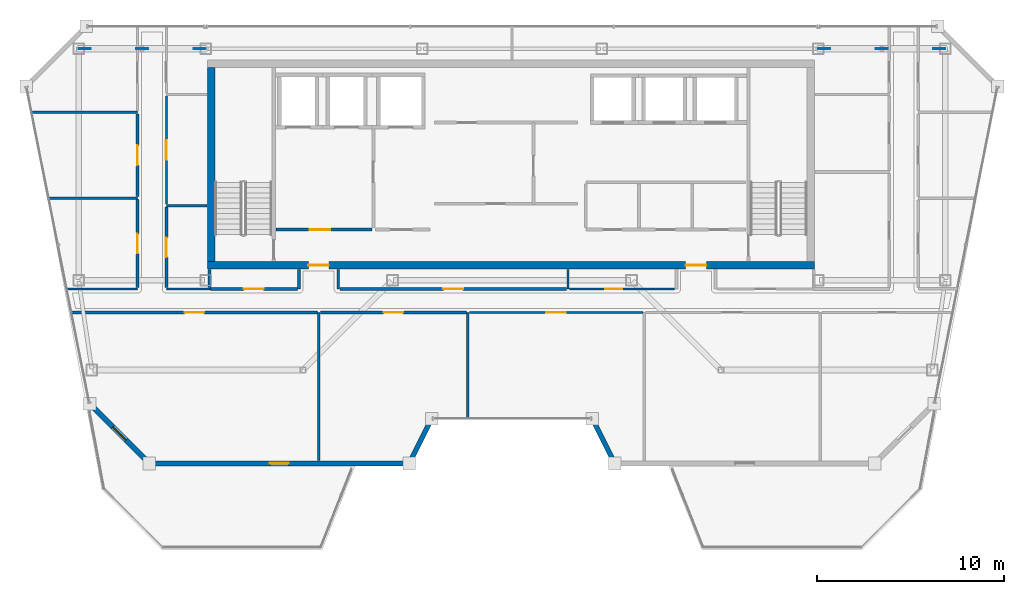
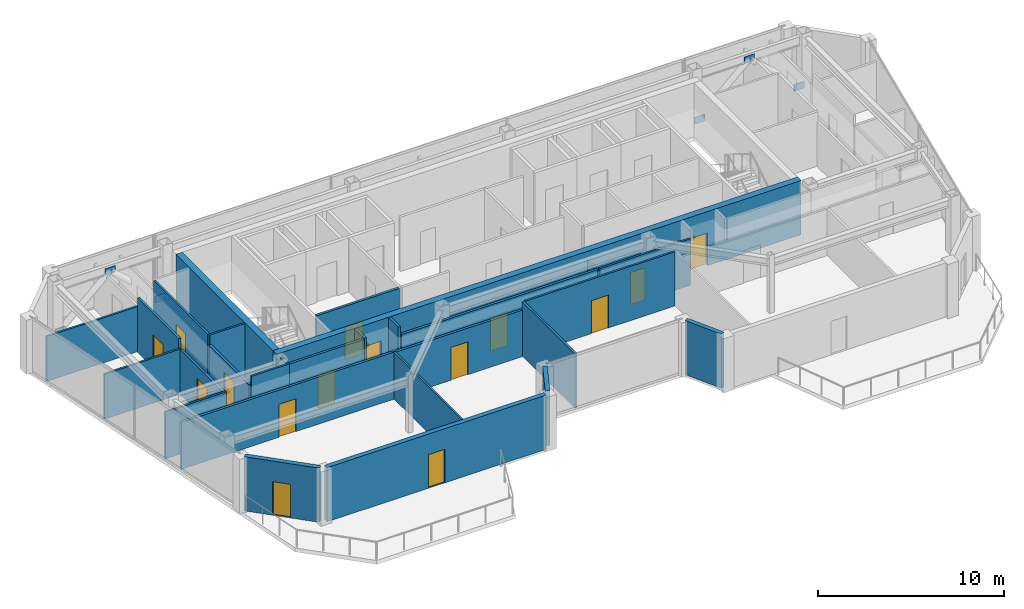
# One storey, part 14 of 20: 28 walls, 15 doors, 6 plates, 15 openings.
"""IFC4 building model written with IfcOpenShell, lengths in metres."""

from ifc_helpers import new_model, si_unit, direction, frame, frame_2d, origin, origin_2d, place, context, subcontext, project, spatial, rectangle, extrude, material, layer, layer_set, type_object, element, fill, save


model = new_model("IFC4")

# Units and contexts
model_context = context("Model", 3, precision=1e-05, world=origin(), true_north=direction((0.0, 1.0)))
body_context = subcontext(model_context, "Body", "Model", "MODEL_VIEW")
ifc_project = project(units=[si_unit("LENGTHUNIT", "METRE"), si_unit("AREAUNIT", "SQUARE_METRE"), si_unit("VOLUMEUNIT", "CUBIC_METRE"), si_unit("PLANEANGLEUNIT", "RADIAN"), si_unit("MASSUNIT", "GRAM", prefix="KILO")], contexts=[model_context])

# Site, building, storey
site_placement = place(None, origin())
site = spatial("IfcSite", under=ifc_project, at=site_placement, CompositionType="ELEMENT")
building_placement = place(site_placement, origin())
building = spatial("IfcBuilding", under=site, at=building_placement, Name="Saevonmaru Cultural Tower", CompositionType="ELEMENT")
storey_placement = place(building_placement, frame((0.0, 0.0, 295.199951171875)))
storey = spatial("IfcBuildingStorey", under=building, at=storey_placement, Name="L70", CompositionType="ELEMENT", Elevation=295.199951171875)

# Plates
ifc_material_1 = material(Name="Steel HSA600 (600 MPa)", Category="steel")
ifc_layer_1 = layer(ifc_material_1, 0.0400390625, Name="Steel HSA600 (600 MPa)")
ifc_layer_set_1 = layer_set([ifc_layer_1], Name="Steel HSA600 (600 MPa)")
plate_type = type_object("IfcPlateType", Name="PL-GUSSET-EXT", PredefinedType="USERDEFINED", material=ifc_layer_set_1)
for number, where, z_axis, x_axis, name in (
    (1, (10.199951171875, 54.800048828125, 2.900146484375), (0.0, 0.0, 1.0), (1.0, 0.0, 0.0), "L70 Perimeter Tube Gusset Plate"),
    (2, (7.1201171875, 54.800048828125, 0.02001953125), (0.0, 0.0, 1.0), (1.0, 0.0, 0.0), "L70 Perimeter Tube Gusset Plate"),
    (3, (13.280029296875, 54.800048828125, 0.02001953125), (0.0, 0.0, 1.0), (1.0, 0.0, 0.0), "L70 Perimeter Tube Gusset Plate"),
    (4, (49.800048828125, 54.800048828125, 2.900146484375), (0.0, 0.0, 1.0), (1.0, 0.0, 0.0), "L70 Perimeter Tube Gusset Plate"),
    (5, (46.719970703125, 54.800048828125, 0.02001953125), (0.0, 0.0, 1.0), (1.0, 0.0, 0.0), "L70 Perimeter Tube Gusset Plate"),
    (6, (52.8798828125, 54.800048828125, 0.02001953125), (0.0, 0.0, 1.0), (1.0, 0.0, 0.0), "L70 Perimeter Tube Gusset Plate"),
):
    element("IfcPlate", number, at=place(storey_placement, frame(where, z_axis=z_axis, x_axis=x_axis)), inside=storey, type_object=plate_type, Name=name, ObjectType="GUSSET_PLATE", PredefinedType="USERDEFINED", context=body_context, shape_type="SweptSolid", body=[
        extrude(rectangle(XDim=0.639892578125, YDim=0.0400390625, at=origin_2d()), origin(), (0.0, 0.0, 1.0), 0.43994140625),
    ])

# Wall, openings, doors
ifc_material_2 = material(Name="Concrete C50/60", Category="concrete")
ifc_layer_2 = layer(ifc_material_2, 0.39990234375, Name="Concrete C50/60")
ifc_layer_set_2 = layer_set([ifc_layer_2], Name="Concrete C50/60")
wall_type_1 = type_object("IfcWallType", Name="WL-CORE-400", PredefinedType="SHEAR", material=ifc_layer_set_2)
wall_1_placement = place(storey_placement, frame((13.699951171875, 43.199951171875, 0.0), z_axis=(0.0, 0.0, 1.0), x_axis=(1.0, 0.0, 0.0)))
wall_1 = element("IfcWall", 7, at=wall_1_placement, inside=storey, type_object=wall_type_1, Name="L70 Tower RC core shear wall S", PredefinedType="SHEAR", context=body_context, shape_type="SweptSolid", body=[
    extrude(rectangle(XDim=32.5, YDim=0.39990234375, at=frame_2d((16.25, 0.0))), origin(), (0.0, 0.0, 1.0), 3.550048828125),
])
opening_1_placement = place(wall_1_placement, frame((5.39990234375, 0.0, 0.0)))
opening_1 = element("IfcOpeningElement", 8, at=opening_1_placement, cuts=wall_1, Name="Opening FD-2", PredefinedType="OPENING", context=body_context, shape_type="SweptSolid", body=[
    extrude(rectangle(XDim=1.10009765625, YDim=2.14990234375, at=frame_2d((0.550048828125, 1.074951171875))), frame((0.0, 0.2099609375, 0.0), z_axis=(0.0, -1.0, 0.0), x_axis=(1.0, 0.0, 0.0)), (0.0, 0.0, 1.0), 0.419921875),
])
opening_2_placement = place(wall_1_placement, frame((25.60009765625, 0.0, 0.0)))
opening_2 = element("IfcOpeningElement", 9, at=opening_2_placement, cuts=wall_1, Name="Opening FD-2", PredefinedType="OPENING", context=body_context, shape_type="SweptSolid", body=[
    extrude(rectangle(XDim=1.10009765625, YDim=2.14990234375, at=frame_2d((0.550048828125, 1.074951171875))), frame((0.0, 0.2099609375, 0.0), z_axis=(0.0, -1.0, 0.0), x_axis=(1.0, 0.0, 0.0)), (0.0, 0.0, 1.0), 0.419921875),
])
ifc_material_3 = material(Name="Satin Bronze Anodised Aluminium", Category="aluminium")
door_type_1 = type_object("IfcDoorType", Name="DR-FD60-1100", OperationType="SINGLE_SWING_LEFT", PredefinedType="DOOR", material=ifc_material_3)
door_1_placement = place(opening_1_placement, origin())
door_1 = element("IfcDoor", 10, at=door_1_placement, inside=storey, type_object=door_type_1, Name="L70 Core West Lobby Fire Door", OperationType="SINGLE_SWING_LEFT", OverallHeight=2.14990234375, OverallWidth=1.10009765625, PredefinedType="DOOR", context=body_context, shape_type="SweptSolid", body=[
    extrude(rectangle(XDim=1.10009765625, YDim=2.14990234375, at=frame_2d((0.550048828125, 1.074951171875))), frame((0.0, 0.02490234375, 0.0), z_axis=(0.0, -1.0, 0.0), x_axis=(1.0, 0.0, 0.0)), (0.0, 0.0, 1.0), 0.050048828125),
])
fill(opening_1, door_1)
door_2_placement = place(opening_2_placement, origin())
door_2 = element("IfcDoor", 11, at=door_2_placement, inside=storey, type_object=door_type_1, Name="L70 Core East Lobby Fire Door", OperationType="SINGLE_SWING_LEFT", OverallHeight=2.14990234375, OverallWidth=1.10009765625, PredefinedType="DOOR", context=body_context, shape_type="SweptSolid", body=[
    extrude(rectangle(XDim=1.10009765625, YDim=2.14990234375, at=frame_2d((0.550048828125, 1.074951171875))), frame((0.0, 0.02490234375, 0.0), z_axis=(0.0, -1.0, 0.0), x_axis=(1.0, 0.0, 0.0)), (0.0, 0.0, 1.0), 0.050048828125),
])
fill(opening_2, door_2)

# Wall
wall_2_placement = place(storey_placement, frame((13.89990234375, 43.39990234375, 0.0), z_axis=(0.0, 0.0, 1.0), x_axis=(0.0, 1.0, 0.0)))
element("IfcWall", 12, at=wall_2_placement, inside=storey, type_object=wall_type_1, Name="L70 Tower RC core shear wall W", PredefinedType="SHEAR", context=body_context, shape_type="SweptSolid", body=[
    extrude(rectangle(XDim=10.400146484375, YDim=0.39990234375, at=frame_2d((5.2001953125, 0.0))), origin(), (0.0, 0.0, 1.0), 3.550048828125),
])

# Wall, opening, door
ifc_material_4 = material(Name="Gypsum Fireboard Partition", Category="gypsum")
ifc_layer_3 = layer(ifc_material_4, 0.14990234375, Name="Gypsum Fireboard Partition")
ifc_layer_set_3 = layer_set([ifc_layer_3], Name="Gypsum Fireboard Partition")
wall_type_2 = type_object("IfcWallType", Name="WL-CORE-PART-150", PredefinedType="PARTITIONING", material=ifc_layer_set_3)
wall_3_placement = place(storey_placement, frame((17.360107421875, 45.1201171875, 0.0), z_axis=(0.0, 0.0, 1.0), x_axis=(1.0, 0.0, 0.0)))
wall_3 = element("IfcWall", 13, at=wall_3_placement, inside=storey, type_object=wall_type_2, Name="L70 Firefighting Lift Lobby South Wall", PredefinedType="PARTITIONING", context=body_context, shape_type="SweptSolid", body=[
    extrude(rectangle(XDim=5.139892578125, YDim=0.14990234375, at=frame_2d((2.56982421875, 0.0))), origin(), (0.0, 0.0, 1.0), 3.550048828125),
])
opening_3_placement = place(wall_3_placement, frame((1.800048828125, 0.0, 0.0)))
opening_3 = element("IfcOpeningElement", 14, at=opening_3_placement, cuts=wall_3, Name="Opening FD-2", PredefinedType="OPENING", context=body_context, shape_type="SweptSolid", body=[
    extrude(rectangle(XDim=1.10009765625, YDim=2.14990234375, at=frame_2d((0.550048828125, 1.074951171875))), frame((0.0, 0.0849609375, 0.0), z_axis=(0.0, -1.0, 0.0), x_axis=(1.0, 0.0, 0.0)), (0.0, 0.0, 1.0), 0.169921875),
])
door_3_placement = place(opening_3_placement, origin())
door_3 = element("IfcDoor", 15, at=door_3_placement, inside=storey, type_object=door_type_1, Name="L70 Firefighting Lift Lobby South Door", OperationType="SINGLE_SWING_LEFT", OverallHeight=2.14990234375, OverallWidth=1.10009765625, PredefinedType="DOOR", context=body_context, shape_type="SweptSolid", body=[
    extrude(rectangle(XDim=1.10009765625, YDim=2.14990234375, at=frame_2d((0.550048828125, 1.074951171875))), frame((0.0, 0.02490234375, 0.0), z_axis=(0.0, -1.0, 0.0), x_axis=(1.0, 0.0, 0.0)), (0.0, 0.0, 1.0), 0.050048828125),
])
fill(opening_3, door_3)

# Walls
ifc_material_5 = material(Name="Granite-Clad Precast Concrete C40/50", Category="masonry")
ifc_layer_4 = layer(ifc_material_5, 0.260009765625, Name="Granite-Clad Precast Concrete C40/50")
ifc_layer_set_4 = layer_set([ifc_layer_4], Name="Granite-Clad Precast Concrete C40/50")
wall_type_3 = type_object("IfcWallType", Name="WL-EXT-SPANDREL-260", PredefinedType="STANDARD", material=ifc_layer_set_4)
for number, where, z_axis, x_axis, name in (
    (16, (24.571533203125, 32.7431640625, 0.0), (0.0, 0.0, 1.0), (0.4472135955, 0.894427191, 0.0), "L70 Chamfer Corner Spandrel Wall E3"),
    (17, (34.37158203125, 34.85693359375, 0.0), (0.0, 0.0, 1.0), (0.4472135955, -0.894427191, 0.0), "L70 Chamfer Corner Spandrel Wall E5"),
):
    element("IfcWall", number, at=place(storey_placement, frame(where, z_axis=z_axis, x_axis=x_axis)), inside=storey, type_object=wall_type_3, Name=name, PredefinedType="STANDARD", context=body_context, shape_type="SweptSolid", body=[
        extrude(rectangle(XDim=2.36328125, YDim=0.260009765625, at=frame_2d((1.181640625, 0.0))), origin(), (0.0, 0.0, 1.0), 3.550048828125),
    ])

# Wall, opening, door
ifc_layer_5 = layer(ifc_material_5, 0.280029296875, Name="Granite-Clad Precast Concrete C40/50")
ifc_layer_set_5 = layer_set([ifc_layer_5], Name="Granite-Clad Precast Concrete C40/50")
wall_type_4 = type_object("IfcWallType", Name="WL-EXT-SPANDREL-280", PredefinedType="STANDARD", material=ifc_layer_set_5)
wall_4_placement = place(storey_placement, frame((7.4931640625, 35.68701171875, 0.0), z_axis=(0.0, 0.0, 1.0), x_axis=(0.70707775441, -0.707135806771, 0.0)))
wall_4 = element("IfcWall", 18, at=wall_4_placement, inside=storey, type_object=wall_type_4, Name="L70 Setback Terrace Portal Wall E1", PredefinedType="STANDARD", context=body_context, shape_type="SweptSolid", body=[
    extrude(rectangle(XDim=4.20556640625, YDim=0.280029296875, at=frame_2d((2.102783203125, 0.0))), origin(), (0.0, 0.0, 1.0), 3.550048828125),
])
opening_4_placement = place(wall_4_placement, frame((1.60302734375, 0.0, 0.0)))
opening_4 = element("IfcOpeningElement", 19, at=opening_4_placement, cuts=wall_4, Name="Opening TD-2", PredefinedType="OPENING", context=body_context, shape_type="SweptSolid", body=[
    extrude(rectangle(XDim=1.0, YDim=2.199951171875, at=frame_2d((0.5, 1.10009765625))), frame((0.0, 0.14990234375, 0.0), z_axis=(0.0, -1.0, 0.0), x_axis=(1.0, 0.0, 0.0)), (0.0, 0.0, 1.0), 0.300048828125),
])
door_type_2 = type_object("IfcDoorType", Name="DR-TERR-1000", OperationType="SINGLE_SWING_RIGHT", PredefinedType="DOOR", material=ifc_material_3)
door_4_placement = place(opening_4_placement, origin())
door_4 = element("IfcDoor", 20, at=door_4_placement, inside=storey, type_object=door_type_2, Name="L70 Sawtooth Roof Terrace Door E1", OperationType="SINGLE_SWING_LEFT", OverallHeight=2.199951171875, OverallWidth=1.0, PredefinedType="DOOR", context=body_context, shape_type="SweptSolid", body=[
    extrude(rectangle(XDim=1.0, YDim=2.199951171875, at=frame_2d((0.5, 1.10009765625))), frame((0.0, 0.02490234375, 0.0), z_axis=(0.0, -1.0, 0.0), x_axis=(1.0, 0.0, 0.0)), (0.0, 0.0, 1.0), 0.050048828125),
])
fill(opening_4, door_4)

wall_5_placement = place(storey_placement, frame((10.739990234375, 32.60009765625, 0.0), z_axis=(0.0, 0.0, 1.0), x_axis=(1.0, 0.0, 0.0)))
wall_5 = element("IfcWall", 21, at=wall_5_placement, inside=storey, type_object=wall_type_4, Name="L70 Setback Terrace Portal Wall E2", PredefinedType="STANDARD", context=body_context, shape_type="SweptSolid", body=[
    extrude(rectangle(XDim=13.60009765625, YDim=0.280029296875, at=frame_2d((6.800048828125, 0.0))), origin(), (0.0, 0.0, 1.0), 3.550048828125),
])
opening_5_placement = place(wall_5_placement, frame((6.300048828125, 0.0, 0.0)))
opening_5 = element("IfcOpeningElement", 22, at=opening_5_placement, cuts=wall_5, Name="Opening TD-2", PredefinedType="OPENING", context=body_context, shape_type="SweptSolid", body=[
    extrude(rectangle(XDim=1.0, YDim=2.199951171875, at=frame_2d((0.5, 1.10009765625))), frame((0.0, 0.14990234375, 0.0), z_axis=(0.0, -1.0, 0.0), x_axis=(1.0, 0.0, 0.0)), (0.0, 0.0, 1.0), 0.300048828125),
])
door_5_placement = place(opening_5_placement, origin())
door_5 = element("IfcDoor", 23, at=door_5_placement, inside=storey, type_object=door_type_2, Name="L70 Sawtooth Roof Terrace Door E2", OperationType="SINGLE_SWING_RIGHT", OverallHeight=2.199951171875, OverallWidth=1.0, PredefinedType="DOOR", context=body_context, shape_type="SweptSolid", body=[
    extrude(rectangle(XDim=1.0, YDim=2.199951171875, at=frame_2d((0.5, 1.10009765625))), frame((0.0, 0.02490234375, 0.0), z_axis=(0.0, -1.0, 0.0), x_axis=(1.0, 0.0, 0.0)), (0.0, 0.0, 1.0), 0.050048828125),
])
fill(opening_5, door_5)

ifc_layer_6 = layer(ifc_material_4, 0.14990234375, Name="Gypsum Fireboard Partition")
ifc_layer_set_6 = layer_set([ifc_layer_6], Name="Gypsum Fireboard Partition")
wall_type_5 = type_object("IfcWallType", Name="WL-PART-FIRE-150", PredefinedType="PARTITIONING", material=ifc_layer_set_6)
wall_6_placement = place(storey_placement, frame((9.949951171875, 42.02001953125, 0.0), z_axis=(0.0, 0.0, 1.0), x_axis=(0.0, 1.0, 0.0)))
wall_6 = element("IfcWall", 24, at=wall_6_placement, inside=storey, type_object=wall_type_5, Name="L70 Sky Observatory Gallery Corridor Wall", PredefinedType="PARTITIONING", context=body_context, shape_type="SweptSolid", body=[
    extrude(rectangle(XDim=4.699951171875, YDim=0.14990234375, at=frame_2d((2.35009765625, 0.0))), origin(), (0.0, 0.0, 1.0), 2.947021484375),
])
opening_6_placement = place(wall_6_placement, frame((1.824951171875, 0.0, 0.0)))
opening_6 = element("IfcOpeningElement", 25, at=opening_6_placement, cuts=wall_6, Name="Opening ID-1", PredefinedType="OPENING", context=body_context, shape_type="SweptSolid", body=[
    extrude(rectangle(XDim=1.050048828125, YDim=2.14990234375, at=frame_2d((0.52490234375, 1.074951171875))), frame((0.0, 0.0849609375, 0.0), z_axis=(0.0, -1.0, 0.0), x_axis=(1.0, 0.0, 0.0)), (0.0, 0.0, 1.0), 0.169921875),
])
door_type_3 = type_object("IfcDoorType", Name="DR-INT-1050", OperationType="SINGLE_SWING_LEFT", PredefinedType="DOOR", material=ifc_material_3)
door_6_placement = place(opening_6_placement, origin())
door_6 = element("IfcDoor", 26, at=door_6_placement, inside=storey, type_object=door_type_3, Name="L70 Sky Observatory Gallery Door", OperationType="SINGLE_SWING_RIGHT", OverallHeight=2.14990234375, OverallWidth=1.050048828125, PredefinedType="DOOR", context=body_context, shape_type="SweptSolid", body=[
    extrude(rectangle(XDim=1.050048828125, YDim=2.14990234375, at=frame_2d((0.52490234375, 1.074951171875))), frame((0.0, 0.02490234375, 0.0), z_axis=(0.0, -1.0, 0.0), x_axis=(1.0, 0.0, 0.0)), (0.0, 0.0, 1.0), 0.050048828125),
])
fill(opening_6, door_6)

wall_7_placement = place(storey_placement, frame((9.949951171875, 46.8798828125, 0.0), z_axis=(0.0, 0.0, 1.0), x_axis=(0.0, 1.0, 0.0)))
wall_7 = element("IfcWall", 27, at=wall_7_placement, inside=storey, type_object=wall_type_5, Name="L70 Skyline Exhibition Gallery Corridor Wall", PredefinedType="PARTITIONING", context=body_context, shape_type="SweptSolid", body=[
    extrude(rectangle(XDim=4.440185546875, YDim=0.14990234375, at=frame_2d((2.22021484375, 0.0))), origin(), (0.0, 0.0, 1.0), 3.550048828125),
])
opening_7_placement = place(wall_7_placement, frame((1.695068359375, 0.0, 0.0)))
opening_7 = element("IfcOpeningElement", 28, at=opening_7_placement, cuts=wall_7, Name="Opening ID-1", PredefinedType="OPENING", context=body_context, shape_type="SweptSolid", body=[
    extrude(rectangle(XDim=1.050048828125, YDim=2.14990234375, at=frame_2d((0.52490234375, 1.074951171875))), frame((0.0, 0.0849609375, 0.0), z_axis=(0.0, -1.0, 0.0), x_axis=(1.0, 0.0, 0.0)), (0.0, 0.0, 1.0), 0.169921875),
])
door_7_placement = place(opening_7_placement, origin())
door_7 = element("IfcDoor", 29, at=door_7_placement, inside=storey, type_object=door_type_3, Name="L70 Skyline Exhibition Gallery Door", OperationType="SINGLE_SWING_LEFT", OverallHeight=2.14990234375, OverallWidth=1.050048828125, PredefinedType="DOOR", context=body_context, shape_type="SweptSolid", body=[
    extrude(rectangle(XDim=1.050048828125, YDim=2.14990234375, at=frame_2d((0.52490234375, 1.074951171875))), frame((0.0, 0.02490234375, 0.0), z_axis=(0.0, -1.0, 0.0), x_axis=(1.0, 0.0, 0.0)), (0.0, 0.0, 1.0), 0.050048828125),
])
fill(opening_7, door_7)

wall_8_placement = place(storey_placement, frame((11.5, 42.02001953125, 0.0), z_axis=(0.0, 0.0, 1.0), x_axis=(0.0, 1.0, 0.0)))
wall_8 = element("IfcWall", 30, at=wall_8_placement, inside=storey, type_object=wall_type_5, Name="L70 Skyline Exhibition Gallery Corridor Wall", PredefinedType="PARTITIONING", context=body_context, shape_type="SweptSolid", body=[
    extrude(rectangle(XDim=4.300048828125, YDim=0.14990234375, at=frame_2d((2.14990234375, 0.0))), origin(), (0.0, 0.0, 1.0), 2.947021484375),
])
opening_8_placement = place(wall_8_placement, frame((1.625, 0.0, 0.0)))
opening_8 = element("IfcOpeningElement", 31, at=opening_8_placement, cuts=wall_8, Name="Opening ID-1", PredefinedType="OPENING", context=body_context, shape_type="SweptSolid", body=[
    extrude(rectangle(XDim=1.050048828125, YDim=2.14990234375, at=frame_2d((0.52490234375, 1.074951171875))), frame((0.0, 0.0849609375, 0.0), z_axis=(0.0, -1.0, 0.0), x_axis=(1.0, 0.0, 0.0)), (0.0, 0.0, 1.0), 0.169921875),
])
door_8_placement = place(opening_8_placement, origin())
door_8 = element("IfcDoor", 32, at=door_8_placement, inside=storey, type_object=door_type_3, Name="L70 Skyline Exhibition Gallery Door", OperationType="SINGLE_SWING_LEFT", OverallHeight=2.14990234375, OverallWidth=1.050048828125, PredefinedType="DOOR", context=body_context, shape_type="SweptSolid", body=[
    extrude(rectangle(XDim=1.050048828125, YDim=2.14990234375, at=frame_2d((0.52490234375, 1.074951171875))), frame((0.0, 0.02490234375, 0.0), z_axis=(0.0, -1.0, 0.0), x_axis=(1.0, 0.0, 0.0)), (0.0, 0.0, 1.0), 0.050048828125),
])
fill(opening_8, door_8)

# Walls
wall_9_placement = place(storey_placement, frame((13.800048828125, 42.02001953125, 0.0), z_axis=(0.0, 0.0, 1.0), x_axis=(0.0, 1.0, 0.0)))
element("IfcWall", 33, at=wall_9_placement, inside=storey, type_object=wall_type_5, Name="L70 Core Portal Side Wall W0", PredefinedType="PARTITIONING", context=body_context, shape_type="SweptSolid", body=[
    extrude(rectangle(XDim=0.9599609375, YDim=0.14990234375, at=frame_2d((0.47998046875, 0.0))), origin(), (0.0, 0.0, 1.0), 3.550048828125),
])
for number, where, z_axis, x_axis, name in (
    (34, (18.60009765625, 41.93994140625, 0.0), (0.0, 0.0, 1.0), (0.0, 1.0, 0.0), "L70 Core Portal Side Wall W1"),
    (35, (20.699951171875, 41.93994140625, 0.0), (0.0, 0.0, 1.0), (0.0, 1.0, 0.0), "L70 Core Portal Side Wall W2"),
):
    element("IfcWall", number, at=place(storey_placement, frame(where, z_axis=z_axis, x_axis=x_axis)), inside=storey, type_object=wall_type_5, Name=name, PredefinedType="PARTITIONING", context=body_context, shape_type="SweptSolid", body=[
        extrude(rectangle(XDim=1.0400390625, YDim=0.14990234375, at=frame_2d((0.52001953125, 0.0))), origin(), (0.0, 0.0, 1.0), 3.550048828125),
    ])

# Wall, opening, door
wall_10_placement = place(storey_placement, frame((13.85009765625, 41.93994140625, 0.0), z_axis=(0.0, 0.0, 1.0), x_axis=(1.0, 0.0, 0.0)))
wall_10 = element("IfcWall", 36, at=wall_10_placement, inside=storey, type_object=wall_type_5, Name="L70 Sky Observatory Gallery Corridor Wall", PredefinedType="PARTITIONING", context=body_context, shape_type="SweptSolid", body=[
    extrude(rectangle(XDim=4.65478515625, YDim=0.14990234375, at=frame_2d((2.327392578125, 0.0))), origin(), (0.0, 0.0, 1.0), 3.550048828125),
])
opening_9_placement = place(wall_10_placement, frame((1.802001953125, 0.0, 0.0)))
opening_9 = element("IfcOpeningElement", 37, at=opening_9_placement, cuts=wall_10, Name="Opening ID-1", PredefinedType="OPENING", context=body_context, shape_type="SweptSolid", body=[
    extrude(rectangle(XDim=1.050048828125, YDim=2.14990234375, at=frame_2d((0.52490234375, 1.074951171875))), frame((0.0, 0.0849609375, 0.0), z_axis=(0.0, -1.0, 0.0), x_axis=(1.0, 0.0, 0.0)), (0.0, 0.0, 1.0), 0.169921875),
])
door_9_placement = place(opening_9_placement, origin())
door_9 = element("IfcDoor", 38, at=door_9_placement, inside=storey, type_object=door_type_3, Name="L70 Sky Observatory Gallery Door", OperationType="SINGLE_SWING_RIGHT", OverallHeight=2.14990234375, OverallWidth=1.050048828125, PredefinedType="DOOR", context=body_context, shape_type="SweptSolid", body=[
    extrude(rectangle(XDim=1.050048828125, YDim=2.14990234375, at=frame_2d((0.52490234375, 1.074951171875))), frame((0.0, 0.02490234375, 0.0), z_axis=(0.0, -1.0, 0.0), x_axis=(1.0, 0.0, 0.0)), (0.0, 0.0, 1.0), 0.050048828125),
])
fill(opening_9, door_9)

wall_11_placement = place(storey_placement, frame((20.794921875, 41.93994140625, 0.0), z_axis=(0.0, 0.0, 1.0), x_axis=(1.0, 0.0, 0.0)))
wall_11 = element("IfcWall", 39, at=wall_11_placement, inside=storey, type_object=wall_type_5, Name="L70 Sky Observatory Gallery Corridor Wall", PredefinedType="PARTITIONING", context=body_context, shape_type="SweptSolid", body=[
    extrude(rectangle(XDim=12.125, YDim=0.14990234375, at=frame_2d((6.0625, 0.0))), origin(), (0.0, 0.0, 1.0), 3.047119140625),
])
opening_10_placement = place(wall_11_placement, frame((5.537109375, 0.0, 0.0)))
opening_10 = element("IfcOpeningElement", 40, at=opening_10_placement, cuts=wall_11, Name="Opening ID-1", PredefinedType="OPENING", context=body_context, shape_type="SweptSolid", body=[
    extrude(rectangle(XDim=1.050048828125, YDim=2.14990234375, at=frame_2d((0.52490234375, 1.074951171875))), frame((0.0, 0.0849609375, 0.0), z_axis=(0.0, -1.0, 0.0), x_axis=(1.0, 0.0, 0.0)), (0.0, 0.0, 1.0), 0.169921875),
])
door_10_placement = place(opening_10_placement, origin())
door_10 = element("IfcDoor", 41, at=door_10_placement, inside=storey, type_object=door_type_3, Name="L70 Sky Observatory Gallery Door", OperationType="SINGLE_SWING_LEFT", OverallHeight=2.14990234375, OverallWidth=1.050048828125, PredefinedType="DOOR", context=body_context, shape_type="SweptSolid", body=[
    extrude(rectangle(XDim=1.050048828125, YDim=2.14990234375, at=frame_2d((0.52490234375, 1.074951171875))), frame((0.0, 0.02490234375, 0.0), z_axis=(0.0, -1.0, 0.0), x_axis=(1.0, 0.0, 0.0)), (0.0, 0.0, 1.0), 0.050048828125),
])
fill(opening_10, door_10)

wall_12_placement = place(storey_placement, frame((6.414794921875, 40.679931640625, 0.0), z_axis=(0.0, 0.0, 1.0), x_axis=(1.0, 0.0, 0.0)))
wall_12 = element("IfcWall", 42, at=wall_12_placement, inside=storey, type_object=wall_type_5, Name="L70 Sky Observatory Gallery Corridor Wall", PredefinedType="PARTITIONING", context=body_context, shape_type="SweptSolid", body=[
    extrude(rectangle(XDim=13.165283203125, YDim=0.14990234375, at=frame_2d((6.58251953125, 0.0))), origin(), (0.0, 0.0, 1.0), 3.0849609375),
])
opening_11_placement = place(wall_12_placement, frame((6.05810546875, 0.0, 0.0)))
opening_11 = element("IfcOpeningElement", 43, at=opening_11_placement, cuts=wall_12, Name="Opening ID-1", PredefinedType="OPENING", context=body_context, shape_type="SweptSolid", body=[
    extrude(rectangle(XDim=1.050048828125, YDim=2.14990234375, at=frame_2d((0.52490234375, 1.074951171875))), frame((0.0, 0.0849609375, 0.0), z_axis=(0.0, -1.0, 0.0), x_axis=(1.0, 0.0, 0.0)), (0.0, 0.0, 1.0), 0.169921875),
])
door_11_placement = place(opening_11_placement, origin())
door_11 = element("IfcDoor", 44, at=door_11_placement, inside=storey, type_object=door_type_3, Name="L70 Sky Observatory Gallery Door", OperationType="SINGLE_SWING_RIGHT", OverallHeight=2.14990234375, OverallWidth=1.050048828125, PredefinedType="DOOR", context=body_context, shape_type="SweptSolid", body=[
    extrude(rectangle(XDim=1.050048828125, YDim=2.14990234375, at=frame_2d((0.52490234375, 1.074951171875))), frame((0.0, 0.02490234375, 0.0), z_axis=(0.0, -1.0, 0.0), x_axis=(1.0, 0.0, 0.0)), (0.0, 0.0, 1.0), 0.050048828125),
])
fill(opening_11, door_11)

wall_13_placement = place(storey_placement, frame((19.739990234375, 40.679931640625, 0.0), z_axis=(0.0, 0.0, 1.0), x_axis=(1.0, 0.0, 0.0)))
wall_13 = element("IfcWall", 45, at=wall_13_placement, inside=storey, type_object=wall_type_5, Name="L70 Skyline Exhibition Gallery Corridor Wall", PredefinedType="PARTITIONING", context=body_context, shape_type="SweptSolid", body=[
    extrude(rectangle(XDim=7.8125, YDim=0.14990234375, at=frame_2d((3.90625, 0.0))), origin(), (0.0, 0.0, 1.0), 3.047119140625),
])
opening_12_placement = place(wall_13_placement, frame((3.381103515625, 0.0, 0.0)))
opening_12 = element("IfcOpeningElement", 46, at=opening_12_placement, cuts=wall_13, Name="Opening ID-1", PredefinedType="OPENING", context=body_context, shape_type="SweptSolid", body=[
    extrude(rectangle(XDim=1.050048828125, YDim=2.14990234375, at=frame_2d((0.52490234375, 1.074951171875))), frame((0.0, 0.0849609375, 0.0), z_axis=(0.0, -1.0, 0.0), x_axis=(1.0, 0.0, 0.0)), (0.0, 0.0, 1.0), 0.169921875),
])
door_12_placement = place(opening_12_placement, origin())
door_12 = element("IfcDoor", 47, at=door_12_placement, inside=storey, type_object=door_type_3, Name="L70 Skyline Exhibition Gallery Door", OperationType="SINGLE_SWING_LEFT", OverallHeight=2.14990234375, OverallWidth=1.050048828125, PredefinedType="DOOR", context=body_context, shape_type="SweptSolid", body=[
    extrude(rectangle(XDim=1.050048828125, YDim=2.14990234375, at=frame_2d((0.52490234375, 1.074951171875))), frame((0.0, 0.02490234375, 0.0), z_axis=(0.0, -1.0, 0.0), x_axis=(1.0, 0.0, 0.0)), (0.0, 0.0, 1.0), 0.050048828125),
])
fill(opening_12, door_12)

# Walls
ifc_layer_7 = layer(ifc_material_4, 0.1201171875, Name="Gypsum Fireboard Partition")
ifc_layer_set_7 = layer_set([ifc_layer_7], Name="Gypsum Fireboard Partition")
wall_type_6 = type_object("IfcWallType", Name="WL-PART-GYP-120", PredefinedType="PARTITIONING", material=ifc_layer_set_7)
wall_14_placement = place(storey_placement, frame((6.164306640625, 41.93994140625, 0.0), z_axis=(0.0, 0.0, 1.0), x_axis=(1.0, 0.0, 0.0)))
element("IfcWall", 48, at=wall_14_placement, inside=storey, type_object=wall_type_6, Name="L70 NW Wing South Wall", PredefinedType="PARTITIONING", context=body_context, shape_type="SweptSolid", body=[
    extrude(rectangle(XDim=3.78564453125, YDim=0.1201171875, at=frame_2d((1.892822265625, 0.0))), origin(), (0.0, 0.0, 1.0), 3.0849609375),
])
wall_15_placement = place(storey_placement, frame((11.5, 41.93994140625, 0.0), z_axis=(0.0, 0.0, 1.0), x_axis=(1.0, 0.0, 0.0)))
element("IfcWall", 49, at=wall_15_placement, inside=storey, type_object=wall_type_6, Name="L70 NW Inner South Wall", PredefinedType="PARTITIONING", context=body_context, shape_type="SweptSolid", body=[
    extrude(rectangle(XDim=2.35009765625, YDim=0.1201171875, at=frame_2d((1.175048828125, 0.0))), origin(), (0.0, 0.0, 1.0), 3.550048828125),
])
wall_16_placement = place(storey_placement, frame((5.197998046875, 46.800048828125, 0.0), z_axis=(0.0, 0.0, 1.0), x_axis=(1.0, 0.0, 0.0)))
element("IfcWall", 50, at=wall_16_placement, inside=storey, type_object=wall_type_6, Name="L70 NW Studio Divider 1", PredefinedType="PARTITIONING", context=body_context, shape_type="SweptSolid", body=[
    extrude(rectangle(XDim=4.751953125, YDim=0.1201171875, at=frame_2d((2.3759765625, 0.0))), origin(), (0.0, 0.0, 1.0), 2.947021484375),
])
wall_17_placement = place(storey_placement, frame((4.283447265625, 51.39990234375, 0.0), z_axis=(0.0, 0.0, 1.0), x_axis=(1.0, 0.0, 0.0)))
element("IfcWall", 51, at=wall_17_placement, inside=storey, type_object=wall_type_6, Name="L70 NW Studio Divider 2", PredefinedType="PARTITIONING", context=body_context, shape_type="SweptSolid", body=[
    extrude(rectangle(XDim=5.66650390625, YDim=0.1201171875, at=frame_2d((2.833251953125, 0.0))), origin(), (0.0, 0.0, 1.0), 2.947021484375),
])
wall_18_placement = place(storey_placement, frame((11.5, 46.39990234375, 0.0), z_axis=(0.0, 0.0, 1.0), x_axis=(1.0, 0.0, 0.0)))
element("IfcWall", 52, at=wall_18_placement, inside=storey, type_object=wall_type_6, Name="L70 NW Inner Divider", PredefinedType="PARTITIONING", context=body_context, shape_type="SweptSolid", body=[
    extrude(rectangle(XDim=2.179931640625, YDim=0.1201171875, at=frame_2d((1.08984375, 0.0))), origin(), (0.0, 0.0, 1.0), 3.550048828125),
])

# Wall, opening, door
wall_19_placement = place(storey_placement, frame((11.5, 46.47998046875, 0.0), z_axis=(0.0, 0.0, 1.0), x_axis=(0.0, 1.0, 0.0)))
wall_19 = element("IfcWall", 53, at=wall_19_placement, inside=storey, type_object=wall_type_6, Name="L70 Rare Manuscript Reading Room Corridor Wall", PredefinedType="PARTITIONING", context=body_context, shape_type="SweptSolid", body=[
    extrude(rectangle(XDim=5.7900390625, YDim=0.1201171875, at=frame_2d((2.89501953125, 0.0))), origin(), (0.0, 0.0, 1.0), 3.550048828125),
])
opening_13_placement = place(wall_19_placement, frame((2.3701171875, 0.0, 0.0)))
opening_13 = element("IfcOpeningElement", 54, at=opening_13_placement, cuts=wall_19, Name="Opening ID-1", PredefinedType="OPENING", context=body_context, shape_type="SweptSolid", body=[
    extrude(rectangle(XDim=1.050048828125, YDim=2.14990234375, at=frame_2d((0.52490234375, 1.074951171875))), frame((0.0, 0.070068359375, 0.0), z_axis=(0.0, -1.0, 0.0), x_axis=(1.0, 0.0, 0.0)), (0.0, 0.0, 1.0), 0.14013671875),
])
door_13_placement = place(opening_13_placement, origin())
door_13 = element("IfcDoor", 55, at=door_13_placement, inside=storey, type_object=door_type_3, Name="L70 Rare Manuscript Reading Room Door", OperationType="SINGLE_SWING_RIGHT", OverallHeight=2.14990234375, OverallWidth=1.050048828125, PredefinedType="DOOR", context=body_context, shape_type="SweptSolid", body=[
    extrude(rectangle(XDim=1.050048828125, YDim=2.14990234375, at=frame_2d((0.52490234375, 1.074951171875))), frame((0.0, 0.02490234375, 0.0), z_axis=(0.0, -1.0, 0.0), x_axis=(1.0, 0.0, 0.0)), (0.0, 0.0, 1.0), 0.050048828125),
])
fill(opening_13, door_13)

# Wall
wall_20_placement = place(storey_placement, frame((33.0, 41.93994140625, 0.0), z_axis=(0.0, 0.0, 1.0), x_axis=(0.0, 1.0, 0.0)))
element("IfcWall", 56, at=wall_20_placement, inside=storey, type_object=wall_type_6, Name="L70 Spine Alcove Split", PredefinedType="PARTITIONING", context=body_context, shape_type="SweptSolid", body=[
    extrude(rectangle(XDim=1.0400390625, YDim=0.1201171875, at=frame_2d((0.52001953125, 0.0))), origin(), (0.0, 0.0, 1.0), 2.947021484375),
])

# Wall, opening, door
wall_21_placement = place(storey_placement, frame((33.080078125, 41.93994140625, 0.0), z_axis=(0.0, 0.0, 1.0), x_axis=(1.0, 0.0, 0.0)))
wall_21 = element("IfcWall", 57, at=wall_21_placement, inside=storey, type_object=wall_type_6, Name="L70 Editorial Fellows Office Corridor Wall", PredefinedType="PARTITIONING", context=body_context, shape_type="SweptSolid", body=[
    extrude(rectangle(XDim=5.625, YDim=0.1201171875, at=frame_2d((2.8125, 0.0))), origin(), (0.0, 0.0, 1.0), 3.047119140625),
])
opening_14_placement = place(wall_21_placement, frame((1.923095703125, 0.0, 0.0)))
opening_14 = element("IfcOpeningElement", 58, at=opening_14_placement, cuts=wall_21, Name="Opening ID-2", PredefinedType="OPENING", context=body_context, shape_type="SweptSolid", body=[
    extrude(rectangle(XDim=0.89990234375, YDim=2.10009765625, at=frame_2d((0.449951171875, 1.050048828125))), frame((0.0, 0.070068359375, 0.0), z_axis=(0.0, -1.0, 0.0), x_axis=(1.0, 0.0, 0.0)), (0.0, 0.0, 1.0), 0.14013671875),
])
ifc_material_6 = material(Name="Acoustic Stained Oak Timber", Category="wood")
door_type_4 = type_object("IfcDoorType", Name="DR-INT-900", OperationType="SINGLE_SWING_RIGHT", PredefinedType="DOOR", material=ifc_material_6)
door_14_placement = place(opening_14_placement, origin())
door_14 = element("IfcDoor", 59, at=door_14_placement, inside=storey, type_object=door_type_4, Name="L70 Editorial Fellows Office Door", OperationType="SINGLE_SWING_RIGHT", OverallHeight=2.10009765625, OverallWidth=0.89990234375, PredefinedType="DOOR", context=body_context, shape_type="SweptSolid", body=[
    extrude(rectangle(XDim=0.89990234375, YDim=2.10009765625, at=frame_2d((0.449951171875, 1.050048828125))), frame((0.0, 0.02490234375, 0.0), z_axis=(0.0, -1.0, 0.0), x_axis=(1.0, 0.0, 0.0)), (0.0, 0.0, 1.0), 0.050048828125),
])
fill(opening_14, door_14)

# Wall
wall_22_placement = place(storey_placement, frame((19.659912109375, 32.760009765625, 0.0), z_axis=(0.0, 0.0, 1.0), x_axis=(0.0, 1.0, 0.0)))
element("IfcWall", 60, at=wall_22_placement, inside=storey, type_object=wall_type_6, Name="L70 Observatory Bay Divider 1", PredefinedType="PARTITIONING", context=body_context, shape_type="SweptSolid", body=[
    extrude(rectangle(XDim=7.919921875, YDim=0.1201171875, at=frame_2d((3.9599609375, 0.0))), origin(), (0.0, 0.0, 1.0), 3.047119140625),
])

# Wall, opening, door
wall_23_placement = place(storey_placement, frame((27.7275390625, 40.679931640625, 0.0), z_axis=(0.0, 0.0, 1.0), x_axis=(1.0, 0.0, 0.0)))
wall_23 = element("IfcWall", 61, at=wall_23_placement, inside=storey, type_object=wall_type_6, Name="L70 Rare Manuscript Reading Room Corridor Wall", PredefinedType="PARTITIONING", context=body_context, shape_type="SweptSolid", body=[
    extrude(rectangle(XDim=9.2724609375, YDim=0.1201171875, at=frame_2d((4.63623046875, 0.0))), origin(), (0.0, 0.0, 1.0), 3.550048828125),
])
opening_15_placement = place(wall_23_placement, frame((4.111083984375, 0.0, 0.0)))
opening_15 = element("IfcOpeningElement", 62, at=opening_15_placement, cuts=wall_23, Name="Opening ID-1", PredefinedType="OPENING", context=body_context, shape_type="SweptSolid", body=[
    extrude(rectangle(XDim=1.050048828125, YDim=2.14990234375, at=frame_2d((0.52490234375, 1.074951171875))), frame((0.0, 0.070068359375, 0.0), z_axis=(0.0, -1.0, 0.0), x_axis=(1.0, 0.0, 0.0)), (0.0, 0.0, 1.0), 0.14013671875),
])
door_15_placement = place(opening_15_placement, origin())
door_15 = element("IfcDoor", 63, at=door_15_placement, inside=storey, type_object=door_type_3, Name="L70 Rare Manuscript Reading Room Door", OperationType="SINGLE_SWING_RIGHT", OverallHeight=2.14990234375, OverallWidth=1.050048828125, PredefinedType="DOOR", context=body_context, shape_type="SweptSolid", body=[
    extrude(rectangle(XDim=1.050048828125, YDim=2.14990234375, at=frame_2d((0.52490234375, 1.074951171875))), frame((0.0, 0.02490234375, 0.0), z_axis=(0.0, -1.0, 0.0), x_axis=(1.0, 0.0, 0.0)), (0.0, 0.0, 1.0), 0.050048828125),
])
fill(opening_15, door_15)

# Wall
ifc_layer_8 = layer(ifc_material_4, 0.135009765625, Name="Gypsum Fireboard Partition")
ifc_layer_set_8 = layer_set([ifc_layer_8], Name="Gypsum Fireboard Partition")
wall_type_7 = type_object("IfcWallType", Name="WL-PART-GYP-135", PredefinedType="PARTITIONING", material=ifc_layer_set_8)
wall_24_placement = place(storey_placement, frame((27.639892578125, 35.0048828125, 0.0), z_axis=(0.0, 0.0, 1.0), x_axis=(0.0, 1.0, 0.0)))
element("IfcWall", 64, at=wall_24_placement, inside=storey, type_object=wall_type_7, Name="L70 Observatory Bay Divider 2", PredefinedType="PARTITIONING", context=body_context, shape_type="SweptSolid", body=[
    extrude(rectangle(XDim=5.675048828125, YDim=0.135009765625, at=frame_2d((2.83740234375, 0.0))), origin(), (0.0, 0.0, 1.0), 3.550048828125),
])

save(model, "model.ifc")
